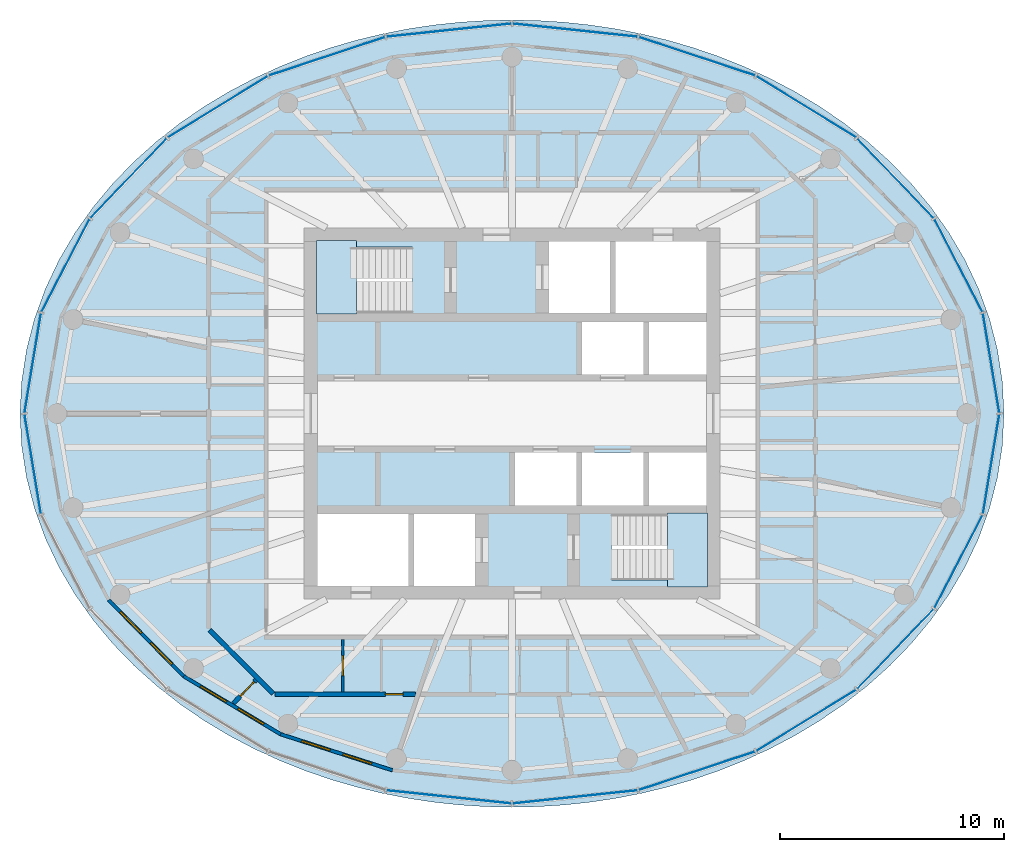
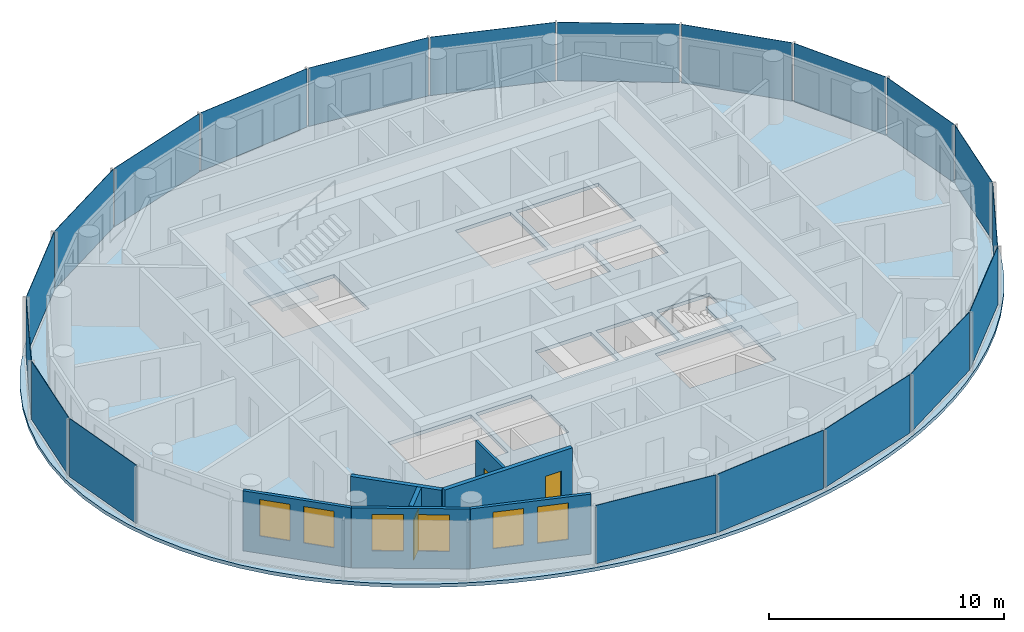
# One storey, part 4 of 11: 20 plates, 7 walls, 6 windows, 3 doors, 3 slabs, 9 openings, 6 elements without a shape of their own.
"""IFC4 building model written with IfcOpenShell, lengths in metres."""

from ifc_helpers import new_model, si_unit, direction, frame, frame_2d, origin, origin_2d, place, context, subcontext, project, spatial, polyline, rectangle, outline, extrude, material, layer, layer_set, type_object, element, fill, aggregate, save


model = new_model("IFC4")

# Units and contexts
model_context = context("Model", 3, precision=1e-05, world=origin(), true_north=direction((0.0, 1.0)))
body_context = subcontext(model_context, "Body", "Model", "MODEL_VIEW")
ifc_project = project(units=[si_unit("LENGTHUNIT", "METRE"), si_unit("AREAUNIT", "SQUARE_METRE"), si_unit("VOLUMEUNIT", "CUBIC_METRE"), si_unit("PLANEANGLEUNIT", "RADIAN"), si_unit("MASSUNIT", "GRAM", prefix="KILO")], contexts=[model_context])

# Site, building, storey
site_placement = place(None, origin())
site = spatial("IfcSite", under=ifc_project, at=site_placement, CompositionType="ELEMENT")
building_placement = place(site_placement, origin())
building = spatial("IfcBuilding", under=site, at=building_placement, Name="Hankou Lantern Tower", CompositionType="ELEMENT")
storey_placement = place(building_placement, frame((0.0, 0.0, 206.10009765625)))
storey = spatial("IfcBuildingStorey", under=building, at=storey_placement, Name="L55", CompositionType="ELEMENT", Elevation=206.10009765625)

# Curtain wall, plates
ifc_material_1 = material(Name="Glass, dark grey tinted laminated", Category="glass")
curtain_wall_type = type_object("IfcCurtainWallType", Name="CWD OUTER SKIN SUITE", PredefinedType="USERDEFINED", material=ifc_material_1)
curtain_wall_1_placement = place(storey_placement, origin())
curtain_wall_1 = element("IfcCurtainWall", 1, at=curtain_wall_1_placement, inside=storey, type_object=curtain_wall_type, Name="CWD L55 OS1", ObjectType="OUTER SKIN SUITE", PredefinedType="USERDEFINED")
ifc_material_2 = material(Name="Glass, dark grey tinted laminated", Category="glass")
ifc_layer_1 = layer(ifc_material_2, 0.02392578125)
ifc_layer_set_1 = layer_set([ifc_layer_1], Name="Glass, dark grey tinted laminated")
plate_type = type_object("IfcPlateType", Name="PN1 OUTER SKIN GLASS PANEL", PredefinedType="CURTAIN_PANEL", material=ifc_layer_set_1)
plate_1_placement = place(storey_placement, frame((21.4287109375, 2.2568359375, 0.079833984375), z_axis=(0.0, 0.0, 1.0), x_axis=(-0.162381515188, 0.986728049427, 0.0)))
plate_1 = element("IfcPlate", 2, at=plate_1_placement, type_object=plate_type, Name="CWD glass panel 1", PredefinedType="CURTAIN_PANEL", context=body_context, shape_type="SweptSolid", body=[
    extrude(rectangle(XDim=4.49462890625, YDim=0.02392578125, at=origin_2d()), origin(), (0.0, 0.0, 1.0), 3.0400390625),
])
plate_2_placement = place(storey_placement, frame((19.96826171875, 6.616943359375, 0.079833984375), z_axis=(0.0, 0.0, 1.0), x_axis=(-0.459791091957, 0.888027112062, 0.0)))
plate_2 = element("IfcPlate", 3, at=plate_2_placement, type_object=plate_type, Name="CWD glass panel 2", PredefinedType="CURTAIN_PANEL", context=body_context, shape_type="SweptSolid", body=[
    extrude(rectangle(XDim=4.656494140625, YDim=0.02392578125, at=origin_2d()), origin(), (0.0, 0.0, 1.0), 3.0400390625),
])
plate_3_placement = place(storey_placement, frame((17.147216796875, 10.52587890625, 0.079833984375), z_axis=(0.0, 0.0, 1.0), x_axis=(-0.692215809936, 0.721690565599, 0.0)))
plate_3 = element("IfcPlate", 4, at=plate_3_placement, type_object=plate_type, Name="CWD glass panel 3", PredefinedType="CURTAIN_PANEL", context=body_context, shape_type="SweptSolid", body=[
    extrude(rectangle(XDim=4.9248046875, YDim=0.02392578125, at=origin_2d()), origin(), (0.0, 0.0, 1.0), 3.0400390625),
])
plate_4_placement = place(storey_placement, frame((13.157470703125, 13.7177734375, 0.079833984375), z_axis=(0.0, 0.0, 1.0), x_axis=(-0.852237151549, 0.523155653242, 0.0)))
plate_4 = element("IfcPlate", 5, at=plate_4_placement, type_object=plate_type, Name="CWD glass panel 4", PredefinedType="CURTAIN_PANEL", context=body_context, shape_type="SweptSolid", body=[
    extrude(rectangle(XDim=5.2177734375, YDim=0.02392578125, at=origin_2d()), origin(), (0.0, 0.0, 1.0), 3.0400390625),
])
plate_5_placement = place(storey_placement, frame((8.271240234375, 15.974609375, 0.079833984375), z_axis=(0.0, 0.0, 1.0), x_axis=(-0.949240677293, 0.31455068999, 0.0)))
plate_5 = element("IfcPlate", 6, at=plate_5_placement, type_object=plate_type, Name="CWD glass panel 5", PredefinedType="CURTAIN_PANEL", context=body_context, shape_type="SweptSolid", body=[
    extrude(rectangle(XDim=5.458984375, YDim=0.02392578125, at=origin_2d()), origin(), (0.0, 0.0, 1.0), 3.0400390625),
])
plate_6_placement = place(storey_placement, frame((2.821044921875, 17.142822265625, 0.079833984375), z_axis=(0.0, 0.0, 1.0), x_axis=(-0.994499359107, 0.104742659579, 0.0)))
plate_6 = element("IfcPlate", 7, at=plate_6_placement, type_object=plate_type, Name="CWD glass panel 6", PredefinedType="CURTAIN_PANEL", context=body_context, shape_type="SweptSolid", body=[
    extrude(rectangle(XDim=5.593505859375, YDim=0.02392578125, at=origin_2d()), origin(), (0.0, 0.0, 1.0), 3.0400390625),
])
aggregate(curtain_wall_1, [plate_1, plate_2, plate_3, plate_4, plate_5, plate_6])

curtain_wall_2_placement = place(storey_placement, origin())
curtain_wall_2 = element("IfcCurtainWall", 8, at=curtain_wall_2_placement, inside=storey, type_object=curtain_wall_type, Name="CWD L55 OS2", ObjectType="OUTER SKIN SUITE", PredefinedType="USERDEFINED")
plate_7_placement = place(storey_placement, frame((-2.821044921875, 17.142822265625, 0.079833984375), z_axis=(0.0, 0.0, 1.0), x_axis=(-0.994499359107, -0.104742659579, 0.0)))
plate_7 = element("IfcPlate", 9, at=plate_7_placement, type_object=plate_type, Name="CWD glass panel 1", PredefinedType="CURTAIN_PANEL", context=body_context, shape_type="SweptSolid", body=[
    extrude(rectangle(XDim=5.593505859375, YDim=0.02392578125, at=origin_2d()), origin(), (0.0, 0.0, 1.0), 3.0400390625),
])
plate_8_placement = place(storey_placement, frame((-8.271240234375, 15.974609375, 0.079833984375), z_axis=(0.0, 0.0, 1.0), x_axis=(-0.949240677293, -0.31455068999, 0.0)))
plate_8 = element("IfcPlate", 10, at=plate_8_placement, type_object=plate_type, Name="CWD glass panel 2", PredefinedType="CURTAIN_PANEL", context=body_context, shape_type="SweptSolid", body=[
    extrude(rectangle(XDim=5.458984375, YDim=0.02392578125, at=origin_2d()), origin(), (0.0, 0.0, 1.0), 3.0400390625),
])
plate_9_placement = place(storey_placement, frame((-13.157470703125, 13.7177734375, 0.079833984375), z_axis=(0.0, 0.0, 1.0), x_axis=(-0.852237151549, -0.523155653242, 0.0)))
plate_9 = element("IfcPlate", 11, at=plate_9_placement, type_object=plate_type, Name="CWD glass panel 3", PredefinedType="CURTAIN_PANEL", context=body_context, shape_type="SweptSolid", body=[
    extrude(rectangle(XDim=5.2177734375, YDim=0.02392578125, at=origin_2d()), origin(), (0.0, 0.0, 1.0), 3.0400390625),
])
plate_10_placement = place(storey_placement, frame((-17.147216796875, 10.52587890625, 0.079833984375), z_axis=(0.0, 0.0, 1.0), x_axis=(-0.692215809936, -0.721690565599, 0.0)))
plate_10 = element("IfcPlate", 12, at=plate_10_placement, type_object=plate_type, Name="CWD glass panel 4", PredefinedType="CURTAIN_PANEL", context=body_context, shape_type="SweptSolid", body=[
    extrude(rectangle(XDim=4.9248046875, YDim=0.02392578125, at=origin_2d()), origin(), (0.0, 0.0, 1.0), 3.0400390625),
])
plate_11_placement = place(storey_placement, frame((-19.96826171875, 6.616943359375, 0.079833984375), z_axis=(0.0, 0.0, 1.0), x_axis=(-0.459791091957, -0.888027112062, 0.0)))
plate_11 = element("IfcPlate", 13, at=plate_11_placement, type_object=plate_type, Name="CWD glass panel 5", PredefinedType="CURTAIN_PANEL", context=body_context, shape_type="SweptSolid", body=[
    extrude(rectangle(XDim=4.656494140625, YDim=0.02392578125, at=origin_2d()), origin(), (0.0, 0.0, 1.0), 3.0400390625),
])
plate_12_placement = place(storey_placement, frame((-21.4287109375, 2.2568359375, 0.079833984375), z_axis=(0.0, 0.0, 1.0), x_axis=(-0.162381515188, -0.986728049427, 0.0)))
plate_12 = element("IfcPlate", 14, at=plate_12_placement, type_object=plate_type, Name="CWD glass panel 6", PredefinedType="CURTAIN_PANEL", context=body_context, shape_type="SweptSolid", body=[
    extrude(rectangle(XDim=4.49462890625, YDim=0.02392578125, at=origin_2d()), origin(), (0.0, 0.0, 1.0), 3.0400390625),
])
aggregate(curtain_wall_2, [plate_7, plate_8, plate_9, plate_10, plate_11, plate_12])

curtain_wall_3_placement = place(storey_placement, origin())
curtain_wall_3 = element("IfcCurtainWall", 15, at=curtain_wall_3_placement, inside=storey, type_object=curtain_wall_type, Name="CWD L55 OS3", ObjectType="OUTER SKIN SUITE", PredefinedType="USERDEFINED")
plate_13_placement = place(storey_placement, frame((-21.4287109375, -2.2568359375, 0.079833984375), z_axis=(0.0, 0.0, 1.0), x_axis=(0.162381515188, -0.986728049427, 0.0)))
plate_13 = element("IfcPlate", 16, at=plate_13_placement, type_object=plate_type, Name="CWD glass panel 1", PredefinedType="CURTAIN_PANEL", context=body_context, shape_type="SweptSolid", body=[
    extrude(rectangle(XDim=4.49462890625, YDim=0.02392578125, at=origin_2d()), origin(), (0.0, 0.0, 1.0), 3.0400390625),
])
plate_14_placement = place(storey_placement, frame((-2.821044921875, -17.142822265625, 0.079833984375), z_axis=(0.0, 0.0, 1.0), x_axis=(0.994499359107, -0.104742659579, 0.0)))
plate_14 = element("IfcPlate", 17, at=plate_14_placement, type_object=plate_type, Name="CWD glass panel 6", PredefinedType="CURTAIN_PANEL", context=body_context, shape_type="SweptSolid", body=[
    extrude(rectangle(XDim=5.593505859375, YDim=0.02392578125, at=origin_2d()), origin(), (0.0, 0.0, 1.0), 3.0400390625),
])
aggregate(curtain_wall_3, [plate_13, plate_14])

curtain_wall_4_placement = place(storey_placement, origin())
curtain_wall_4 = element("IfcCurtainWall", 18, at=curtain_wall_4_placement, inside=storey, type_object=curtain_wall_type, Name="CWD L55 OS4", ObjectType="OUTER SKIN SUITE", PredefinedType="USERDEFINED")
plate_15_placement = place(storey_placement, frame((2.821044921875, -17.142822265625, 0.079833984375), z_axis=(0.0, 0.0, 1.0), x_axis=(0.994499359107, 0.104742659579, 0.0)))
plate_15 = element("IfcPlate", 19, at=plate_15_placement, type_object=plate_type, Name="CWD glass panel 1", PredefinedType="CURTAIN_PANEL", context=body_context, shape_type="SweptSolid", body=[
    extrude(rectangle(XDim=5.593505859375, YDim=0.02392578125, at=origin_2d()), origin(), (0.0, 0.0, 1.0), 3.0400390625),
])
plate_16_placement = place(storey_placement, frame((8.271240234375, -15.974609375, 0.079833984375), z_axis=(0.0, 0.0, 1.0), x_axis=(0.949240677293, 0.31455068999, 0.0)))
plate_16 = element("IfcPlate", 20, at=plate_16_placement, type_object=plate_type, Name="CWD glass panel 2", PredefinedType="CURTAIN_PANEL", context=body_context, shape_type="SweptSolid", body=[
    extrude(rectangle(XDim=5.458984375, YDim=0.02392578125, at=origin_2d()), origin(), (0.0, 0.0, 1.0), 3.0400390625),
])
plate_17_placement = place(storey_placement, frame((13.157470703125, -13.7177734375, 0.079833984375), z_axis=(0.0, 0.0, 1.0), x_axis=(0.852237151549, 0.523155653242, 0.0)))
plate_17 = element("IfcPlate", 21, at=plate_17_placement, type_object=plate_type, Name="CWD glass panel 3", PredefinedType="CURTAIN_PANEL", context=body_context, shape_type="SweptSolid", body=[
    extrude(rectangle(XDim=5.2177734375, YDim=0.02392578125, at=origin_2d()), origin(), (0.0, 0.0, 1.0), 3.0400390625),
])
plate_18_placement = place(storey_placement, frame((17.147216796875, -10.52587890625, 0.079833984375), z_axis=(0.0, 0.0, 1.0), x_axis=(0.692215809936, 0.721690565599, 0.0)))
plate_18 = element("IfcPlate", 22, at=plate_18_placement, type_object=plate_type, Name="CWD glass panel 4", PredefinedType="CURTAIN_PANEL", context=body_context, shape_type="SweptSolid", body=[
    extrude(rectangle(XDim=4.9248046875, YDim=0.02392578125, at=origin_2d()), origin(), (0.0, 0.0, 1.0), 3.0400390625),
])
plate_19_placement = place(storey_placement, frame((19.96826171875, -6.616943359375, 0.079833984375), z_axis=(0.0, 0.0, 1.0), x_axis=(0.459791091957, 0.888027112062, 0.0)))
plate_19 = element("IfcPlate", 23, at=plate_19_placement, type_object=plate_type, Name="CWD glass panel 5", PredefinedType="CURTAIN_PANEL", context=body_context, shape_type="SweptSolid", body=[
    extrude(rectangle(XDim=4.656494140625, YDim=0.02392578125, at=origin_2d()), origin(), (0.0, 0.0, 1.0), 3.0400390625),
])
plate_20_placement = place(storey_placement, frame((21.4287109375, -2.2568359375, 0.079833984375), z_axis=(0.0, 0.0, 1.0), x_axis=(0.162381515188, 0.986728049427, 0.0)))
plate_20 = element("IfcPlate", 24, at=plate_20_placement, type_object=plate_type, Name="CWD glass panel 6", PredefinedType="CURTAIN_PANEL", context=body_context, shape_type="SweptSolid", body=[
    extrude(rectangle(XDim=4.49462890625, YDim=0.02392578125, at=origin_2d()), origin(), (0.0, 0.0, 1.0), 3.0400390625),
])
aggregate(curtain_wall_4, [plate_15, plate_16, plate_17, plate_18, plate_19, plate_20])

# Slab
ifc_material_3 = material(Name="Concrete C50", Category="concrete")
ifc_layer_2 = layer(ifc_material_3, 0.179931640625)
ifc_layer_set_2 = layer_set([ifc_layer_2], Name="Concrete C50")
slab_type_1 = type_object("IfcSlabType", Name="S1 CONCRETE FLOOR SLAB 180", PredefinedType="FLOOR", material=ifc_layer_set_2)
slab_1_placement = place(storey_placement, frame((0.0, 0.0, -0.18017578125)))
element("IfcSlab", 25, at=slab_1_placement, inside=storey, type_object=slab_type_1, Name="Floor slab L55", PredefinedType="FLOOR", context=body_context, shape_type="SweptSolid", body=[
    extrude(outline(polyline([(22.0, 0.0), (21.926513671875, 1.437255859375), (21.7080078125, 2.85791015625), (21.349853515625, 4.246826171875), (20.861083984375, 5.589599609375), (20.252197265625, 6.874755859375), (19.53662109375, 8.09228515625), (18.727783203125, 9.235595703125), (17.83935546875, 10.299560546875), (16.88525390625, 11.2822265625), (15.877197265625, 12.18310546875), (14.82666015625, 13.002685546875), (13.743408203125, 13.743408203125), (12.63525390625, 14.40771484375), (11.509521484375, 14.999267578125), (10.37109375, 15.521728515625), (9.224853515625, 15.97802734375), (8.07373046875, 16.3720703125), (6.920166015625, 16.70654296875), (5.765625, 16.98486328125), (4.611083984375, 17.208984375), (3.457275390625, 17.38134765625), (2.304443359375, 17.503173828125), (1.152099609375, 17.575927734375), (0.0, 17.60009765625), (-1.152099609375, 17.575927734375), (-2.304443359375, 17.503173828125), (-3.457275390625, 17.38134765625), (-4.611083984375, 17.208984375), (-5.765625, 16.98486328125), (-6.920166015625, 16.70654296875), (-8.07373046875, 16.3720703125), (-9.224853515625, 15.97802734375), (-10.37109375, 15.521728515625), (-11.509521484375, 14.999267578125), (-12.63525390625, 14.40771484375), (-13.743408203125, 13.743408203125), (-14.82666015625, 13.002685546875), (-15.877197265625, 12.18310546875), (-16.88525390625, 11.2822265625), (-17.83935546875, 10.299560546875), (-18.727783203125, 9.235595703125), (-19.53662109375, 8.09228515625), (-20.252197265625, 6.874755859375), (-20.861083984375, 5.589599609375), (-21.349853515625, 4.246826171875), (-21.7080078125, 2.85791015625), (-21.926513671875, 1.437255859375), (-22.0, 0.0), (-21.926513671875, -1.437255859375), (-21.7080078125, -2.85791015625), (-21.349853515625, -4.246826171875), (-20.861083984375, -5.589599609375), (-20.252197265625, -6.874755859375), (-19.53662109375, -8.09228515625), (-18.727783203125, -9.235595703125), (-17.83935546875, -10.299560546875), (-16.88525390625, -11.2822265625), (-15.877197265625, -12.18310546875), (-14.82666015625, -13.002685546875), (-13.743408203125, -13.743408203125), (-12.63525390625, -14.40771484375), (-11.509521484375, -14.999267578125), (-10.37109375, -15.521728515625), (-9.224853515625, -15.97802734375), (-8.07373046875, -16.3720703125), (-6.920166015625, -16.70654296875), (-5.765625, -16.98486328125), (-4.611083984375, -17.208984375), (-3.457275390625, -17.38134765625), (-2.304443359375, -17.503173828125), (-1.152099609375, -17.575927734375), (0.0, -17.60009765625), (1.152099609375, -17.575927734375), (2.304443359375, -17.503173828125), (3.457275390625, -17.38134765625), (4.611083984375, -17.208984375), (5.765625, -16.98486328125), (6.920166015625, -16.70654296875), (8.07373046875, -16.3720703125), (9.224853515625, -15.97802734375), (10.37109375, -15.521728515625), (11.509521484375, -14.999267578125), (12.63525390625, -14.40771484375), (13.743408203125, -13.743408203125), (14.82666015625, -13.002685546875), (15.877197265625, -12.18310546875), (16.88525390625, -11.2822265625), (17.83935546875, -10.299560546875), (18.727783203125, -9.235595703125), (19.53662109375, -8.09228515625), (20.252197265625, -6.874755859375), (20.861083984375, -5.589599609375), (21.349853515625, -4.246826171875), (21.7080078125, -2.85791015625), (21.926513671875, -1.437255859375), (22.0, 0.0)]), holes=[polyline([(3.125, 4.10009765625), (5.875, 4.10009765625), (5.875, 1.75), (3.125, 1.75), (3.125, 4.10009765625)]), polyline([(6.125, 4.10009765625), (8.699951171875, 4.10009765625), (8.699951171875, 1.75), (6.125, 1.75), (6.125, 4.10009765625)]), polyline([(0.125, -1.75), (2.875, -1.75), (2.875, -4.10009765625), (0.125, -4.10009765625), (0.125, -1.75)]), polyline([(3.125, -1.75), (5.875, -1.75), (5.875, -4.10009765625), (3.125, -4.10009765625), (3.125, -1.75)]), polyline([(6.125, -1.75), (8.699951171875, -1.75), (8.699951171875, -4.10009765625), (6.125, -4.10009765625), (6.125, -1.75)]), polyline([(1.64990234375, 7.699951171875), (4.375, 7.699951171875), (4.375, 4.5), (1.64990234375, 4.5), (1.64990234375, 7.699951171875)]), polyline([(-4.375, -4.5), (-1.64990234375, -4.5), (-1.64990234375, -7.699951171875), (-4.375, -7.699951171875), (-4.375, -4.5)]), polyline([(-8.699951171875, 7.449951171875), (-4.449951171875, 7.449951171875), (-4.449951171875, 4.5), (-8.699951171875, 4.5), (-8.699951171875, 7.449951171875)]), polyline([(4.449951171875, -4.5), (8.699951171875, -4.5), (8.699951171875, -7.449951171875), (4.449951171875, -7.449951171875), (4.449951171875, -4.5)]), polyline([(4.625, 7.699951171875), (8.699951171875, 7.699951171875), (8.699951171875, 4.5), (4.625, 4.5), (4.625, 7.699951171875)]), polyline([(-8.699951171875, -4.5), (-4.625, -4.5), (-4.625, -7.699951171875), (-8.699951171875, -7.699951171875), (-8.699951171875, -4.5)])]), origin(), (0.0, 0.0, 1.0), 0.18017578125),
])

# Stair, slab
ifc_material_4 = material(Name="Concrete C40", Category="concrete")
stair_type = type_object("IfcStairType", Name="ST33 CORE STAIR 3300 RISE", PredefinedType="HALF_TURN_STAIR", material=ifc_material_4)
stair_1_placement = place(storey_placement, origin())
stair_1 = element("IfcStair", 26, at=stair_1_placement, inside=storey, type_object=stair_type, Name="Stair STA L55", PredefinedType="HALF_TURN_STAIR")
ifc_material_5 = material(Name="Concrete C40", Category="concrete")
ifc_layer_3 = layer(ifc_material_5, 0.199951171875)
ifc_layer_set_3 = layer_set([ifc_layer_3], Name="Concrete C40")
slab_type_2 = type_object("IfcSlabType", Name="SL1 STAIR LANDING 200", PredefinedType="LANDING", material=ifc_layer_set_3)
slab_2_placement = place(storey_placement, frame((0.0, 0.0, 1.371337890625)))
slab_2 = element("IfcSlab", 27, at=slab_2_placement, type_object=slab_type_2, Name="STA landing 1", PredefinedType="LANDING", context=body_context, shape_type="SweptSolid", body=[
    extrude(outline(polyline([(-8.75, 4.449951171875), (-6.949951171875, 4.449951171875), (-6.949951171875, 7.75), (-8.75, 7.75), (-8.75, 4.449951171875)])), origin(), (0.0, 0.0, 1.0), 0.199951171875),
])
aggregate(stair_1, [slab_2])

stair_2_placement = place(storey_placement, origin())
stair_2 = element("IfcStair", 28, at=stair_2_placement, inside=storey, type_object=stair_type, Name="Stair STB L55", PredefinedType="HALF_TURN_STAIR")
slab_3_placement = place(storey_placement, frame((0.0, 0.0, 1.371337890625)))
slab_3 = element("IfcSlab", 29, at=slab_3_placement, type_object=slab_type_2, Name="STB landing 1", PredefinedType="LANDING", context=body_context, shape_type="SweptSolid", body=[
    extrude(outline(polyline([(8.75, -4.449951171875), (6.949951171875, -4.449951171875), (6.949951171875, -7.75), (8.75, -7.75), (8.75, -4.449951171875)])), origin(), (0.0, 0.0, 1.0), 0.199951171875),
])
aggregate(stair_2, [slab_3])

# Wall, openings, windows
ifc_material_6 = material(Name="Aluminium spandrel panel on steel studs", Category="steel")
ifc_layer_4 = layer(ifc_material_6, 0.14990234375)
ifc_layer_set_4 = layer_set([ifc_layer_4], Name="Aluminium spandrel panel on steel studs")
wall_type_1 = type_object("IfcWallType", Name="EW1 INNER SKIN WALL 150", PredefinedType="ELEMENTEDWALL", material=ifc_layer_set_4)
wall_1_placement = place(storey_placement, frame((-18.03955078125, -8.33203125, 0.0), z_axis=(0.0, 0.0, 1.0), x_axis=(0.701527379618, -0.712642501993, 0.0)))
wall_1 = element("IfcWall", 30, at=wall_1_placement, inside=storey, type_object=wall_type_1, Name="Inner skin R15-R16 L55", PredefinedType="ELEMENTEDWALL", context=body_context, shape_type="SweptSolid", body=[
    extrude(rectangle(XDim=4.788330078125, YDim=0.14990234375, at=frame_2d((2.39404296875, 0.0))), origin(), (0.0, 0.0, 1.0), 3.119873046875),
])
opening_1_placement = place(wall_1_placement, frame((0.744140625, 0.0, 0.89990234375)))
opening_1 = element("IfcOpeningElement", 31, at=opening_1_placement, cuts=wall_1, Name="Opening W4", PredefinedType="OPENING", context=body_context, shape_type="SweptSolid", body=[
    extrude(rectangle(XDim=1.35009765625, YDim=1.89990234375, at=frame_2d((0.675048828125, 0.949951171875))), frame((0.0, 0.0849609375, 0.0), z_axis=(0.0, -1.0, 0.0), x_axis=(1.0, 0.0, 0.0)), (0.0, 0.0, 1.0), 0.169921875),
])
opening_2_placement = place(wall_1_placement, frame((2.694091796875, 0.0, 0.89990234375)))
opening_2 = element("IfcOpeningElement", 32, at=opening_2_placement, cuts=wall_1, Name="Opening W4", PredefinedType="OPENING", context=body_context, shape_type="SweptSolid", body=[
    extrude(rectangle(XDim=1.35009765625, YDim=1.89990234375, at=frame_2d((0.675048828125, 0.949951171875))), frame((0.0, 0.0849609375, 0.0), z_axis=(0.0, -1.0, 0.0), x_axis=(1.0, 0.0, 0.0)), (0.0, 0.0, 1.0), 0.169921875),
])
ifc_material_7 = material(Name="Aluminium framed double glazed window", Category="aluminium")
window_type = type_object("IfcWindowType", Name="W4 SUITE WINDOW 1350X1900", PartitioningType="DOUBLE_PANEL_VERTICAL", PredefinedType="WINDOW", material=ifc_material_7)
window_1_placement = place(opening_1_placement, origin())
window_1 = element("IfcWindow", 33, at=window_1_placement, inside=storey, type_object=window_type, Name="Window R15.1 L55", OverallHeight=1.89990234375, OverallWidth=1.35009765625, PartitioningType="SINGLE_PANEL", PredefinedType="WINDOW", context=body_context, shape_type="SweptSolid", body=[
    extrude(rectangle(XDim=1.35009765625, YDim=1.89990234375, at=frame_2d((0.675048828125, 0.949951171875))), frame((0.0, 0.030029296875, 0.0), z_axis=(0.0, -1.0, 0.0), x_axis=(1.0, 0.0, 0.0)), (0.0, 0.0, 1.0), 0.06005859375),
])
fill(opening_1, window_1)
window_2_placement = place(opening_2_placement, origin())
window_2 = element("IfcWindow", 34, at=window_2_placement, inside=storey, type_object=window_type, Name="Window R15.2 L55", OverallHeight=1.89990234375, OverallWidth=1.35009765625, PartitioningType="SINGLE_PANEL", PredefinedType="WINDOW", context=body_context, shape_type="SweptSolid", body=[
    extrude(rectangle(XDim=1.35009765625, YDim=1.89990234375, at=frame_2d((0.675048828125, 0.949951171875))), frame((0.0, 0.030029296875, 0.0), z_axis=(0.0, -1.0, 0.0), x_axis=(1.0, 0.0, 0.0)), (0.0, 0.0, 1.0), 0.06005859375),
])
fill(opening_2, window_2)

wall_2_placement = place(storey_placement, frame((-14.680419921875, -11.744384765625, 0.0), z_axis=(0.0, 0.0, 1.0), x_axis=(0.85822150553, -0.513279502265, 0.0)))
wall_2 = element("IfcWall", 35, at=wall_2_placement, inside=storey, type_object=wall_type_1, Name="Inner skin R16-R17 L55", PredefinedType="ELEMENTEDWALL", context=body_context, shape_type="SweptSolid", body=[
    extrude(rectangle(XDim=5.050048828125, YDim=0.14990234375, at=frame_2d((2.52490234375, 0.0))), origin(), (0.0, 0.0, 1.0), 3.119873046875),
])
opening_3_placement = place(wall_2_placement, frame((0.875, 0.0, 0.89990234375)))
opening_3 = element("IfcOpeningElement", 36, at=opening_3_placement, cuts=wall_2, Name="Opening W4", PredefinedType="OPENING", context=body_context, shape_type="SweptSolid", body=[
    extrude(rectangle(XDim=1.35009765625, YDim=1.89990234375, at=frame_2d((0.675048828125, 0.949951171875))), frame((0.0, 0.0849609375, 0.0), z_axis=(0.0, -1.0, 0.0), x_axis=(1.0, 0.0, 0.0)), (0.0, 0.0, 1.0), 0.169921875),
])
opening_4_placement = place(wall_2_placement, frame((2.824951171875, 0.0, 0.89990234375)))
opening_4 = element("IfcOpeningElement", 37, at=opening_4_placement, cuts=wall_2, Name="Opening W4", PredefinedType="OPENING", context=body_context, shape_type="SweptSolid", body=[
    extrude(rectangle(XDim=1.35009765625, YDim=1.89990234375, at=frame_2d((0.675048828125, 0.949951171875))), frame((0.0, 0.0849609375, 0.0), z_axis=(0.0, -1.0, 0.0), x_axis=(1.0, 0.0, 0.0)), (0.0, 0.0, 1.0), 0.169921875),
])
window_3_placement = place(opening_3_placement, origin())
window_3 = element("IfcWindow", 38, at=window_3_placement, inside=storey, type_object=window_type, Name="Window R16.1 L55", OverallHeight=1.89990234375, OverallWidth=1.35009765625, PartitioningType="SINGLE_PANEL", PredefinedType="WINDOW", context=body_context, shape_type="SweptSolid", body=[
    extrude(rectangle(XDim=1.35009765625, YDim=1.89990234375, at=frame_2d((0.675048828125, 0.949951171875))), frame((0.0, 0.030029296875, 0.0), z_axis=(0.0, -1.0, 0.0), x_axis=(1.0, 0.0, 0.0)), (0.0, 0.0, 1.0), 0.06005859375),
])
fill(opening_3, window_3)
window_4_placement = place(opening_4_placement, origin())
window_4 = element("IfcWindow", 39, at=window_4_placement, inside=storey, type_object=window_type, Name="Window R16.2 L55", OverallHeight=1.89990234375, OverallWidth=1.35009765625, PartitioningType="SINGLE_PANEL", PredefinedType="WINDOW", context=body_context, shape_type="SweptSolid", body=[
    extrude(rectangle(XDim=1.35009765625, YDim=1.89990234375, at=frame_2d((0.675048828125, 0.949951171875))), frame((0.0, 0.030029296875, 0.0), z_axis=(0.0, -1.0, 0.0), x_axis=(1.0, 0.0, 0.0)), (0.0, 0.0, 1.0), 0.06005859375),
])
fill(opening_4, window_4)

wall_3_placement = place(storey_placement, frame((-10.346435546875, -14.33642578125, 0.0), z_axis=(0.0, 0.0, 1.0), x_axis=(0.951644702515, -0.307200846638, 0.0)))
wall_3 = element("IfcWall", 40, at=wall_3_placement, inside=storey, type_object=wall_type_1, Name="Inner skin R17-R18 L55", PredefinedType="ELEMENTEDWALL", context=body_context, shape_type="SweptSolid", body=[
    extrude(rectangle(XDim=5.2578125, YDim=0.14990234375, at=frame_2d((2.62890625, 0.0))), origin(), (0.0, 0.0, 1.0), 3.119873046875),
])
opening_5_placement = place(wall_3_placement, frame((0.97900390625, 0.0, 0.89990234375)))
opening_5 = element("IfcOpeningElement", 41, at=opening_5_placement, cuts=wall_3, Name="Opening W4", PredefinedType="OPENING", context=body_context, shape_type="SweptSolid", body=[
    extrude(rectangle(XDim=1.35009765625, YDim=1.89990234375, at=frame_2d((0.675048828125, 0.949951171875))), frame((0.0, 0.0849609375, 0.0), z_axis=(0.0, -1.0, 0.0), x_axis=(1.0, 0.0, 0.0)), (0.0, 0.0, 1.0), 0.169921875),
])
opening_6_placement = place(wall_3_placement, frame((2.928955078125, 0.0, 0.89990234375)))
opening_6 = element("IfcOpeningElement", 42, at=opening_6_placement, cuts=wall_3, Name="Opening W4", PredefinedType="OPENING", context=body_context, shape_type="SweptSolid", body=[
    extrude(rectangle(XDim=1.35009765625, YDim=1.89990234375, at=frame_2d((0.675048828125, 0.949951171875))), frame((0.0, 0.0849609375, 0.0), z_axis=(0.0, -1.0, 0.0), x_axis=(1.0, 0.0, 0.0)), (0.0, 0.0, 1.0), 0.169921875),
])
window_5_placement = place(opening_5_placement, origin())
window_5 = element("IfcWindow", 43, at=window_5_placement, inside=storey, type_object=window_type, Name="Window R17.1 L55", OverallHeight=1.89990234375, OverallWidth=1.35009765625, PartitioningType="SINGLE_PANEL", PredefinedType="WINDOW", context=body_context, shape_type="SweptSolid", body=[
    extrude(rectangle(XDim=1.35009765625, YDim=1.89990234375, at=frame_2d((0.675048828125, 0.949951171875))), frame((0.0, 0.030029296875, 0.0), z_axis=(0.0, -1.0, 0.0), x_axis=(1.0, 0.0, 0.0)), (0.0, 0.0, 1.0), 0.06005859375),
])
fill(opening_5, window_5)
window_6_placement = place(opening_6_placement, origin())
window_6 = element("IfcWindow", 44, at=window_6_placement, inside=storey, type_object=window_type, Name="Window R17.2 L55", OverallHeight=1.89990234375, OverallWidth=1.35009765625, PartitioningType="SINGLE_PANEL", PredefinedType="WINDOW", context=body_context, shape_type="SweptSolid", body=[
    extrude(rectangle(XDim=1.35009765625, YDim=1.89990234375, at=frame_2d((0.675048828125, 0.949951171875))), frame((0.0, 0.030029296875, 0.0), z_axis=(0.0, -1.0, 0.0), x_axis=(1.0, 0.0, 0.0)), (0.0, 0.0, 1.0), 0.06005859375),
])
fill(opening_6, window_6)

# Wall, opening, door
ifc_material_8 = material(Name="Masonry lightweight concrete block", Category="masonry")
ifc_layer_5 = layer(ifc_material_8, 0.1201171875)
ifc_layer_set_5 = layer_set([ifc_layer_5], Name="Masonry lightweight concrete block")
wall_type_2 = type_object("IfcWallType", Name="IW3 BATHROOM WALL 120", PredefinedType="PARTITIONING", material=ifc_layer_set_5)
wall_4_placement = place(storey_placement, frame((-7.5693359375, -10.10009765625, 0.0), z_axis=(0.0, 0.0, 1.0), x_axis=(0.0, -1.0, 0.0)))
wall_4 = element("IfcWall", 45, at=wall_4_placement, inside=storey, type_object=wall_type_2, Name="Box wall 5504 2", PredefinedType="PARTITIONING", context=body_context, shape_type="SweptSolid", body=[
    extrude(rectangle(XDim=2.349853515625, YDim=0.1201171875, at=frame_2d((1.1748046875, 0.0))), origin(), (0.0, 0.0, 1.0), 3.119873046875),
])
opening_7_placement = place(wall_4_placement, frame((0.719970703125, 0.0, 0.0)))
opening_7 = element("IfcOpeningElement", 46, at=opening_7_placement, cuts=wall_4, Name="Opening D27", PredefinedType="OPENING", context=body_context, shape_type="SweptSolid", body=[
    extrude(rectangle(XDim=0.89990234375, YDim=2.10009765625, at=frame_2d((0.449951171875, 1.050048828125))), frame((0.0, 0.070068359375, 0.0), z_axis=(0.0, -1.0, 0.0), x_axis=(1.0, 0.0, 0.0)), (0.0, 0.0, 1.0), 0.14013671875),
])
ifc_material_9 = material(Name="Timber door leaf", Category="wood")
door_type_1 = type_object("IfcDoorType", Name="D27 INTERNAL DOOR 900X2100", OperationType="SINGLE_SWING_LEFT", PredefinedType="DOOR", material=ifc_material_9)
door_1_placement = place(opening_7_placement, origin())
door_1 = element("IfcDoor", 47, at=door_1_placement, inside=storey, type_object=door_type_1, Name="Suite 5504 walk-in wardrobe door", OperationType="SINGLE_SWING_LEFT", OverallHeight=2.10009765625, OverallWidth=0.89990234375, PredefinedType="DOOR", context=body_context, shape_type="SweptSolid", body=[
    extrude(rectangle(XDim=0.89990234375, YDim=2.10009765625, at=frame_2d((0.449951171875, 1.050048828125))), frame((0.0, 0.02490234375, 0.0), z_axis=(0.0, -1.0, 0.0), x_axis=(1.0, 0.0, 0.0)), (0.0, 0.0, 1.0), 0.050048828125),
])
fill(opening_7, door_1)

# Wall
ifc_material_10 = material(Name="Masonry lightweight concrete block", Category="masonry")
ifc_layer_6 = layer(ifc_material_10, 0.199951171875)
ifc_layer_set_6 = layer_set([ifc_layer_6], Name="Masonry lightweight concrete block")
wall_type_3 = type_object("IfcWallType", Name="IW6 SUITE PARTITION 200", PredefinedType="PARTITIONING", material=ifc_layer_set_6)
wall_5_placement = place(storey_placement, frame((-13.520751953125, -9.67919921875, 0.0), z_axis=(0.0, 0.0, 1.0), x_axis=(0.707106781187, -0.707106781187, 0.0)))
element("IfcWall", 48, at=wall_5_placement, inside=storey, type_object=wall_type_3, Name="Suite foyer wall 5504", PredefinedType="PARTITIONING", context=body_context, shape_type="SweptSolid", body=[
    extrude(rectangle(XDim=4.0185546875, YDim=0.199951171875, at=frame_2d((2.00927734375, 0.0))), origin(), (0.0, 0.0, 1.0), 3.119873046875),
])

# Wall, opening, door
wall_6_placement = place(storey_placement, frame((-10.608642578125, -12.550048828125, 0.0), z_axis=(0.0, 0.0, 1.0), x_axis=(1.0, 0.0, 0.0)))
wall_6 = element("IfcWall", 49, at=wall_6_placement, inside=storey, type_object=wall_type_3, Name="Suite foyer wall 5504", PredefinedType="PARTITIONING", context=body_context, shape_type="SweptSolid", body=[
    extrude(rectangle(XDim=6.28369140625, YDim=0.199951171875, at=frame_2d((3.141845703125, 0.0))), origin(), (0.0, 0.0, 1.0), 3.119873046875),
])
opening_8_placement = place(wall_6_placement, frame((4.944091796875, 0.0, 0.0)))
opening_8 = element("IfcOpeningElement", 50, at=opening_8_placement, cuts=wall_6, Name="Opening D3", PredefinedType="OPENING", context=body_context, shape_type="SweptSolid", body=[
    extrude(rectangle(XDim=0.800048828125, YDim=2.10009765625, at=frame_2d((0.39990234375, 1.050048828125))), frame((0.0, 0.10986328125, 0.0), z_axis=(0.0, -1.0, 0.0), x_axis=(1.0, 0.0, 0.0)), (0.0, 0.0, 1.0), 0.219970703125),
])
ifc_material_11 = material(Name="Timber door leaf", Category="wood")
door_type_2 = type_object("IfcDoorType", Name="D3 BATHROOM DOOR 800X2100", OperationType="SINGLE_SWING_LEFT", PredefinedType="DOOR", material=ifc_material_11)
door_2_placement = place(opening_8_placement, origin())
door_2 = element("IfcDoor", 51, at=door_2_placement, inside=storey, type_object=door_type_2, Name="Suite 5504 bathroom door", OperationType="SINGLE_SWING_LEFT", OverallHeight=2.10009765625, OverallWidth=0.800048828125, PredefinedType="DOOR", context=body_context, shape_type="SweptSolid", body=[
    extrude(rectangle(XDim=0.800048828125, YDim=2.10009765625, at=frame_2d((0.39990234375, 1.050048828125))), frame((0.0, 0.02490234375, 0.0), z_axis=(0.0, -1.0, 0.0), x_axis=(1.0, 0.0, 0.0)), (0.0, 0.0, 1.0), 0.050048828125),
])
fill(opening_8, door_2)

wall_7_placement = place(storey_placement, frame((-11.44091796875, -11.900390625, 0.0), z_axis=(0.0, 0.0, 1.0), x_axis=(-0.692958717259, -0.720977264672, 0.0)))
wall_7 = element("IfcWall", 52, at=wall_7_placement, inside=storey, type_object=wall_type_3, Name="Suite partition R16-R17", PredefinedType="PARTITIONING", context=body_context, shape_type="SweptSolid", body=[
    extrude(rectangle(XDim=1.4638671875, YDim=0.199951171875, at=frame_2d((0.73193359375, 0.0))), origin(), (0.0, 0.0, 1.0), 3.119873046875),
])
opening_9_placement = place(wall_7_placement, frame((0.1201171875, 0.0, 0.0)))
opening_9 = element("IfcOpeningElement", 53, at=opening_9_placement, cuts=wall_7, Name="Opening D27", PredefinedType="OPENING", context=body_context, shape_type="SweptSolid", body=[
    extrude(rectangle(XDim=0.89990234375, YDim=2.10009765625, at=frame_2d((0.449951171875, 1.050048828125))), frame((0.0, 0.10986328125, 0.0), z_axis=(0.0, -1.0, 0.0), x_axis=(1.0, 0.0, 0.0)), (0.0, 0.0, 1.0), 0.219970703125),
])
door_3_placement = place(opening_9_placement, origin())
door_3 = element("IfcDoor", 54, at=door_3_placement, inside=storey, type_object=door_type_1, Name="Suite 5504 bedroom door", OperationType="SINGLE_SWING_LEFT", OverallHeight=2.10009765625, OverallWidth=0.89990234375, PredefinedType="DOOR", context=body_context, shape_type="SweptSolid", body=[
    extrude(rectangle(XDim=0.89990234375, YDim=2.10009765625, at=frame_2d((0.449951171875, 1.050048828125))), frame((0.0, 0.02490234375, 0.0), z_axis=(0.0, -1.0, 0.0), x_axis=(1.0, 0.0, 0.0)), (0.0, 0.0, 1.0), 0.050048828125),
])
fill(opening_9, door_3)

save(model, "model.ifc")
